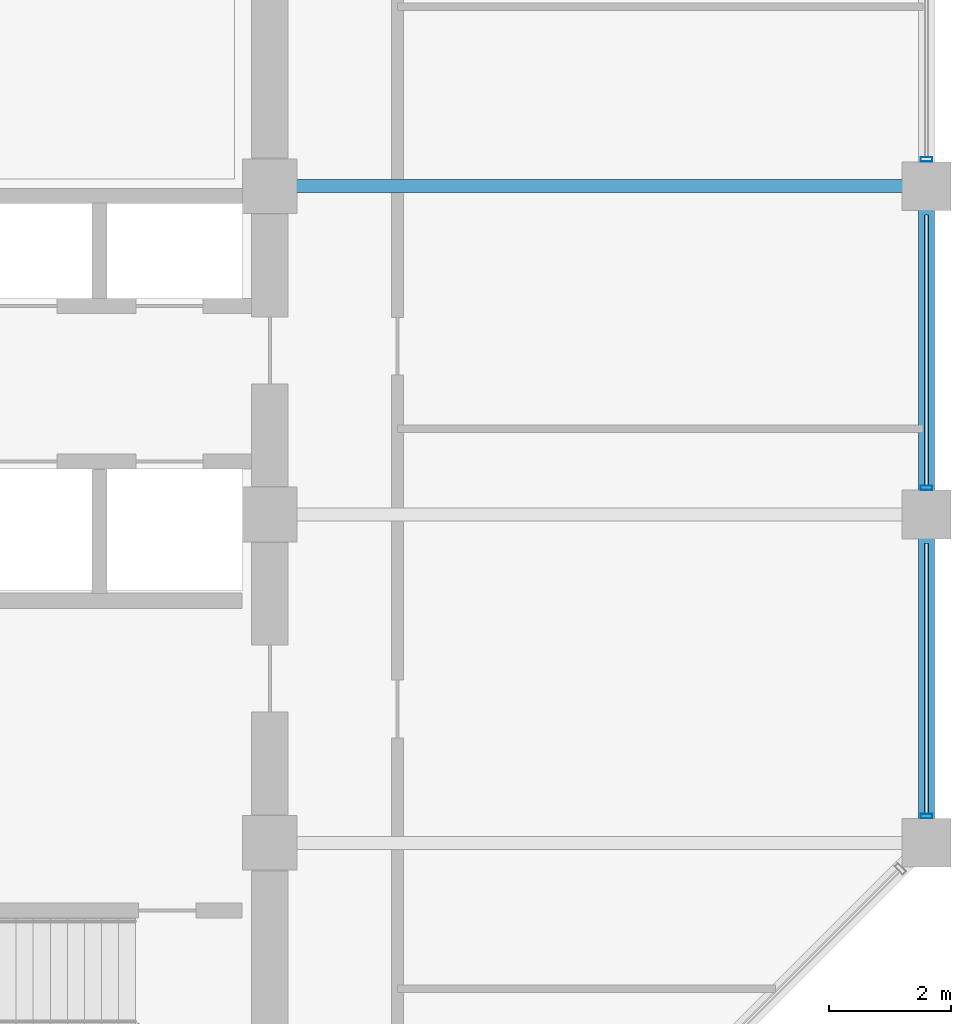
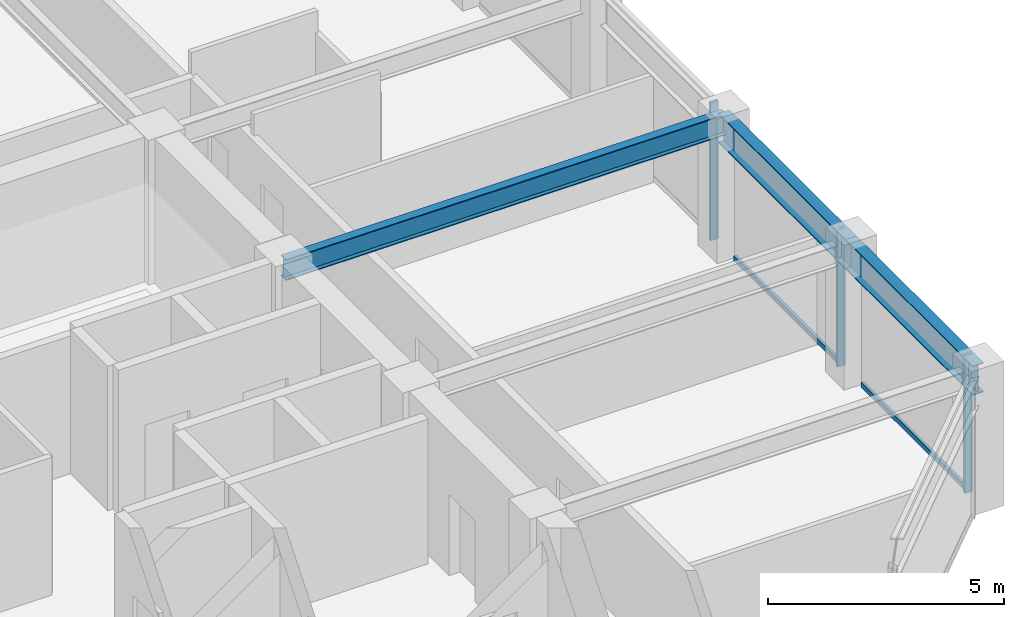
# One storey, part 14 of 32: 5 members, 3 beams, 1 element without a shape of its own.
"""IFC4 building model written with IfcOpenShell, lengths in metres."""

from ifc_helpers import new_model, si_unit, direction, frame, origin, origin_2d, place, context, subcontext, project, spatial, hollow_rectangle, i_section, extrude, material, layer, layer_set, material_profile, profile_set, type_object, element, aggregate, save


model = new_model("IFC4")

# Units and contexts
model_context = context("Model", 3, precision=1e-05, world=origin(), true_north=direction((0.0, 1.0)))
body_context = subcontext(model_context, "Body", "Model", "MODEL_VIEW")
ifc_project = project(units=[si_unit("LENGTHUNIT", "METRE"), si_unit("AREAUNIT", "SQUARE_METRE"), si_unit("VOLUMEUNIT", "CUBIC_METRE"), si_unit("PLANEANGLEUNIT", "RADIAN"), si_unit("MASSUNIT", "GRAM", prefix="KILO")], contexts=[model_context])

# Site, building, storey
site_placement = place(None, origin())
site = spatial("IfcSite", under=ifc_project, at=site_placement, CompositionType="ELEMENT")
building_placement = place(site_placement, origin())
building = spatial("IfcBuilding", under=site, at=building_placement, Name="Surkhivell Harbour Commons", CompositionType="ELEMENT")
storey_placement = place(building_placement, frame((0.0, 0.0, 219.75)))
storey = spatial("IfcBuildingStorey", under=building, at=storey_placement, Name="L57", CompositionType="ELEMENT", Elevation=219.75)

# Beams
ifc_material_1 = material(Name="Steel S355", Category="steel")
ifc_material_profile_1 = material_profile(ifc_material_1, i_section(OverallWidth=0.2119140625, OverallDepth=0.5439453125, WebThickness=0.0126953125, FlangeThickness=0.021240234375, at=origin_2d()), Name="UB533x210x122")
ifc_profile_set_1 = profile_set([ifc_material_profile_1], Name="Steel S355")
beam_type_1 = type_object("IfcBeamType", Name="BM-GRD-533A", PredefinedType="BEAM", material=ifc_profile_set_1)
beam_placement = place(storey_placement, frame((10.800048828125, 5.39990234375, 3.298095703125), z_axis=(1.0, 0.0, 0.0), x_axis=(0.0, 1.0, 0.0)))
element("IfcBeam", 1, at=beam_placement, inside=storey, type_object=beam_type_1, Name="L57 Floor Girder (10.8,5.4)", PredefinedType="BEAM", context=body_context, shape_type="SweptSolid", body=[
    extrude(i_section(OverallWidth=0.2119140625, OverallDepth=0.5439453125, WebThickness=0.0126953125, FlangeThickness=0.021240234375, at=origin_2d()), origin(), (0.0, 0.0, 1.0), 10.800048828125),
])
ifc_material_profile_2 = material_profile(ifc_material_1, i_section(OverallWidth=0.26806640625, OverallDepth=0.77001953125, WebThickness=0.015625, FlangeThickness=0.025390625, at=origin_2d()), Name="UB762x267x197")
ifc_profile_set_2 = profile_set([ifc_material_profile_2], Name="Steel S355")
beam_type_2 = type_object("IfcBeamType", Name="BM-SPN-762", PredefinedType="SPANDREL", material=ifc_profile_set_2)
for number, where, z_axis, x_axis, name in (
    (2, (21.60009765625, -5.39990234375, 3.18505859375), (0.0, 1.0, 0.0), (-1.0, 0.0, 0.0), "L57 Tube Spandrel (21.6,-5.4)"),
    (3, (21.60009765625, 0.0, 3.18505859375), (0.0, 1.0, 0.0), (-1.0, 0.0, 0.0), "L57 Tube Spandrel (21.6,0.0)"),
):
    element("IfcBeam", number, at=place(storey_placement, frame(where, z_axis=z_axis, x_axis=x_axis)), inside=storey, type_object=beam_type_2, Name=name, PredefinedType="SPANDREL", context=body_context, shape_type="SweptSolid", body=[
        extrude(i_section(OverallWidth=0.26806640625, OverallDepth=0.77001953125, WebThickness=0.015625, FlangeThickness=0.025390625, at=origin_2d()), origin(), (0.0, 0.0, 1.0), 5.39990234375),
    ])

# Curtain wall, members
ifc_material_2 = material(Name="Anodised pale-metal aluminium and insulated glazing", Category="aluminium")
ifc_layer = layer(ifc_material_2, 0.18994140625)
ifc_layer_set = layer_set([ifc_layer], Name="Anodised pale-metal aluminium and insulated glazing")
curtain_wall_type = type_object("IfcCurtainWallType", Name="CW-SYS-Z3", PredefinedType="NOTDEFINED", material=ifc_layer_set)
curtain_wall_placement = place(storey_placement, origin())
curtain_wall = element("IfcCurtainWall", 4, at=curtain_wall_placement, inside=storey, type_object=curtain_wall_type, Name="L57 Curtain Wall CW-L57-E02", PredefinedType="NOTDEFINED")
ifc_material_3 = material(Name="Anodised pale-metal aluminium alloy 6063-T6", Category="aluminium")
ifc_material_profile_3 = material_profile(ifc_material_3, hollow_rectangle(XDim=0.074951171875, YDim=0.18994140625, WallThickness=0.00390625, at=origin_2d()), Name="ALU-MULL-75x190")
ifc_profile_set_3 = profile_set([ifc_material_profile_3], Name="Anodised pale-metal aluminium alloy 6063-T6")
member_type_1 = type_object("IfcMemberType", Name="CWM-190", PredefinedType="MULLION", material=ifc_profile_set_3)
member_1_placement = place(storey_placement, frame((21.60009765625, -4.96044921875, 0.0), z_axis=(0.0, 0.0, 1.0), x_axis=(0.0, 1.0, 0.0)))
member_1 = element("IfcMember", 5, at=member_1_placement, type_object=member_type_1, Name="CW-Z3 mullion 1", PredefinedType="MULLION", context=body_context, shape_type="SweptSolid", body=[
    extrude(hollow_rectangle(XDim=0.074951171875, YDim=0.18994140625, WallThickness=0.00390625, at=origin_2d()), origin(), (0.0, 0.0, 1.0), 3.570068359375),
])
member_2_placement = place(storey_placement, frame((21.60009765625, 0.439453125, 0.0), z_axis=(0.0, 0.0, 1.0), x_axis=(0.0, 1.0, 0.0)))
member_2 = element("IfcMember", 6, at=member_2_placement, type_object=member_type_1, Name="CW-Z3 mullion 2", PredefinedType="MULLION", context=body_context, shape_type="SweptSolid", body=[
    extrude(hollow_rectangle(XDim=0.074951171875, YDim=0.18994140625, WallThickness=0.00390625, at=origin_2d()), origin(), (0.0, 0.0, 1.0), 3.570068359375),
])
member_3_placement = place(storey_placement, frame((21.60009765625, 5.839599609375, 0.0), z_axis=(0.0, 0.0, 1.0), x_axis=(0.0, 1.0, 0.0)))
member_3 = element("IfcMember", 7, at=member_3_placement, type_object=member_type_1, Name="CW-Z3 mullion 3", PredefinedType="MULLION", context=body_context, shape_type="SweptSolid", body=[
    extrude(hollow_rectangle(XDim=0.074951171875, YDim=0.18994140625, WallThickness=0.00390625, at=origin_2d()), origin(), (0.0, 0.0, 1.0), 3.570068359375),
])
ifc_material_4 = material(Name="Champagne anodised aluminium alloy 6063-T6", Category="aluminium")
ifc_material_profile_4 = material_profile(ifc_material_4, hollow_rectangle(XDim=0.070068359375, YDim=0.1298828125, WallThickness=0.00341796875, at=origin_2d()), Name="ALU-TRAN-70x130")
ifc_profile_set_4 = profile_set([ifc_material_profile_4], Name="Champagne anodised aluminium alloy 6063-T6")
member_type_2 = type_object("IfcMemberType", Name="CWT-130", PredefinedType="USERDEFINED", material=ifc_profile_set_4)
member_4_placement = place(storey_placement, frame((21.60009765625, -4.923095703125, 0.06494140625), z_axis=(0.0, 1.0, 0.0), x_axis=(-1.0, 0.0, 0.0)))
member_4 = element("IfcMember", 8, at=member_4_placement, type_object=member_type_2, Name="CW-Z3 transom 1.1", ObjectType="TRANSOM", PredefinedType="USERDEFINED", context=body_context, shape_type="SweptSolid", body=[
    extrude(hollow_rectangle(XDim=0.070068359375, YDim=0.1298828125, WallThickness=0.00341796875, at=origin_2d()), origin(), (0.0, 0.0, 1.0), 4.446044921875),
])
member_5_placement = place(storey_placement, frame((21.60009765625, 0.47705078125, 0.06494140625), z_axis=(0.0, 1.0, 0.0), x_axis=(-1.0, 0.0, 0.0)))
member_5 = element("IfcMember", 9, at=member_5_placement, type_object=member_type_2, Name="CW-Z3 transom 2.1", ObjectType="TRANSOM", PredefinedType="USERDEFINED", context=body_context, shape_type="SweptSolid", body=[
    extrude(hollow_rectangle(XDim=0.070068359375, YDim=0.1298828125, WallThickness=0.00341796875, at=origin_2d()), origin(), (0.0, 0.0, 1.0), 4.446044921875),
])
aggregate(curtain_wall, [member_1, member_4, member_2, member_5, member_3])

save(model, "model.ifc")
